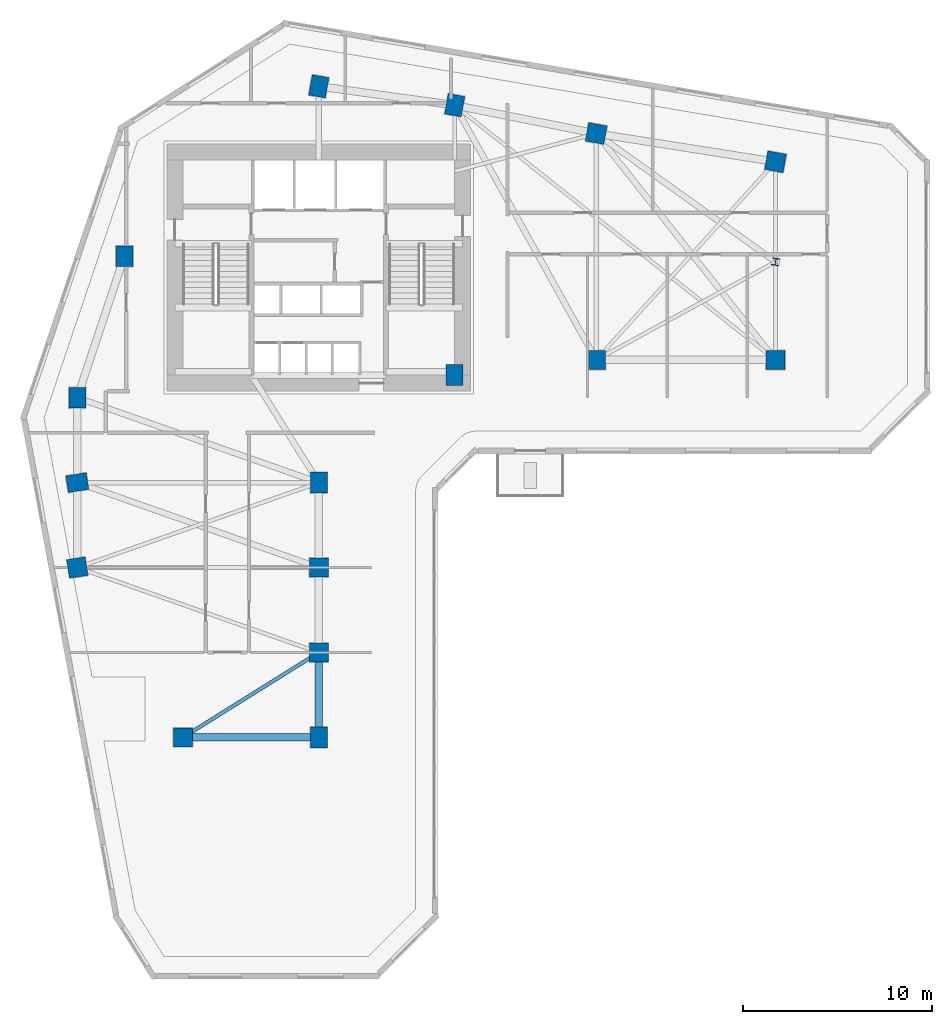
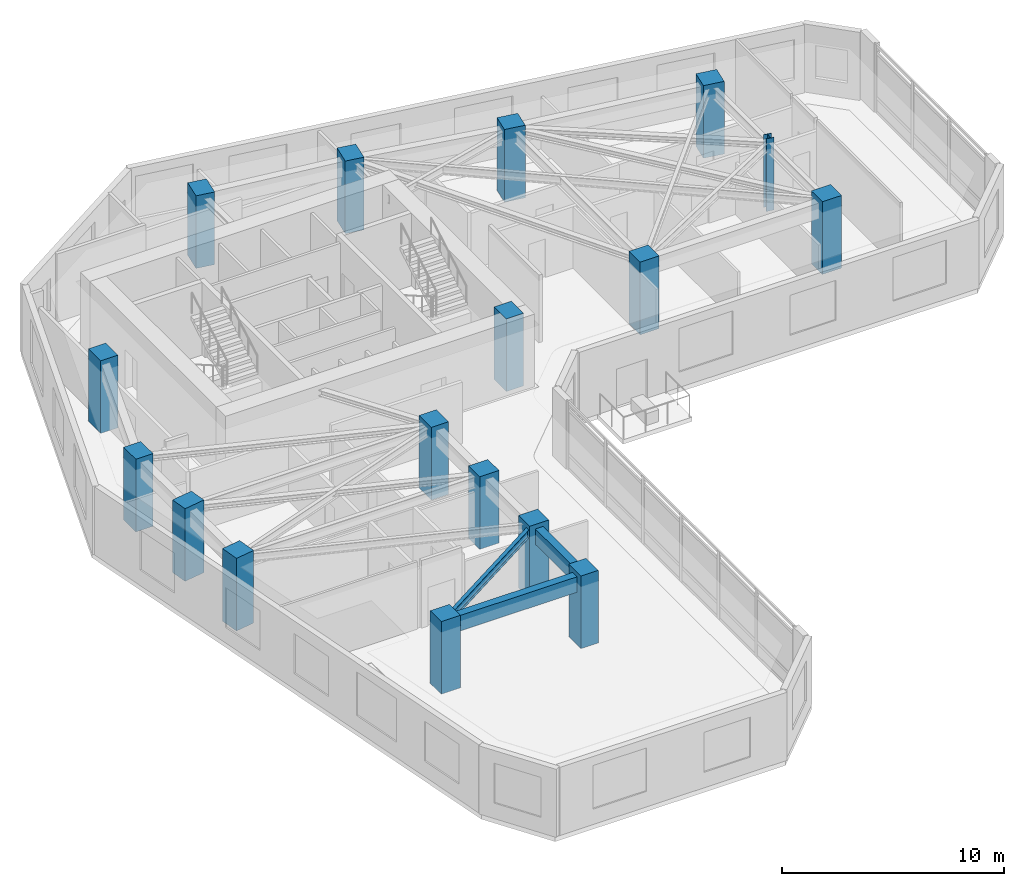
# One storey, part 1 of 9: 17 columns, 3 beams.
"""IFC4 building model written with IfcOpenShell, lengths in metres."""

from ifc_helpers import new_model, si_unit, direction, frame, origin, origin_2d, place, context, subcontext, project, spatial, rectangle, i_section, extrude, source, transform, mapped, material, material_profile, profile_set, type_object, element, save


model = new_model("IFC4")

# Units and contexts
model_context = context("Model", 3, precision=1e-05, world=origin(), true_north=direction((0.0, 1.0)))
body_context = subcontext(model_context, "Body", "Model", "MODEL_VIEW")
ifc_project = project(units=[si_unit("LENGTHUNIT", "METRE"), si_unit("AREAUNIT", "SQUARE_METRE"), si_unit("VOLUMEUNIT", "CUBIC_METRE"), si_unit("PLANEANGLEUNIT", "RADIAN"), si_unit("MASSUNIT", "GRAM", prefix="KILO")], contexts=[model_context])

# Site, building, storey
site_placement = place(None, origin())
site = spatial("IfcSite", under=ifc_project, at=site_placement, CompositionType="ELEMENT")
building_placement = place(site_placement, origin())
building = spatial("IfcBuilding", under=site, at=building_placement, Name="Calvemar Wedge Station Tower", CompositionType="ELEMENT")
storey_placement = place(building_placement, frame((0.0, 0.0, 91.0)))
storey = spatial("IfcBuildingStorey", under=building, at=storey_placement, Name="L22", CompositionType="ELEMENT", Elevation=91.0)

# Columns
ifc_material_1 = material(Name="Concrete C70", Category="concrete")
ifc_material_profile_1 = material_profile(ifc_material_1, rectangle(XDim=0.89990234375, YDim=1.10009765625, at=origin_2d()), Name="RC1100x900")
ifc_profile_set_1 = profile_set([ifc_material_profile_1], Name="Concrete C70")
column_type_1 = type_object("IfcColumnType", Name="COL-C3-1100x900", PredefinedType="COLUMN", material=ifc_profile_set_1)
shared_shape_1 = source(origin(), body_context, "Body", "SweptSolid", [
    extrude(rectangle(XDim=0.89990234375, YDim=1.10009765625, at=origin_2d()), origin(), (0.0, 0.0, 1.0), 4.0),
])
for number, where, z_axis, x_axis, name in (
    (1, (11.0, 33.0, 0.0), (0.0, 0.0, 1.0), (1.0, 0.0, 0.0), "Storey L22 Column T-NW1"),
    (2, (13.5, 40.5, 0.0), (0.0, 0.0, 1.0), (1.0, 0.0, 0.0), "Storey L22 Column T-NW2"),
    (3, (23.800048828125, 49.5, 0.0), (0.0, 0.0, 1.0), (0.984195607969, -0.17708474032, 0.0), "Storey L22 Column T-N1"),
    (4, (31.0, 48.5, 0.0), (0.0, 0.0, 1.0), (0.984195607969, -0.17708474032, 0.0), "Storey L22 Column T-N2"),
    (5, (31.0, 34.199951171875, 0.0), (0.0, 0.0, 1.0), (1.0, 0.0, 0.0), "Storey L22 Column T-NL1"),
    (6, (11.0, 28.5, 0.0), (0.0, 0.0, 1.0), (0.158158067254, -0.987413806751, 0.0), "Storey L22 Column T-SW1"),
    (7, (23.800048828125, 28.5, 0.0), (0.0, 0.0, 1.0), (1.0, 0.0, 0.0), "Storey L22 Column T-SE1"),
    (8, (23.800048828125, 15.0, 0.0), (0.0, 0.0, 1.0), (1.0, 0.0, 0.0), "Storey L22 Column T-SE4"),
):
    element("IfcColumn", number, at=place(storey_placement, frame(where, z_axis=z_axis, x_axis=x_axis)), inside=storey, type_object=column_type_1, Name=name, PredefinedType="COLUMN", context=body_context, shape_type="MappedRepresentation", body=[
        mapped(shared_shape_1, transform((0.0, 0.0, 0.0), scale=1.0)),
    ])
ifc_material_2 = material(Name="Concrete C60", Category="concrete")
ifc_material_profile_2 = material_profile(ifc_material_2, rectangle(XDim=1.0, YDim=1.0, at=origin_2d()), Name="RC1000x1000")
ifc_profile_set_2 = profile_set([ifc_material_profile_2], Name="Concrete C60")
column_type_2 = type_object("IfcColumnType", Name="COL-C4-1000", PredefinedType="COLUMN", material=ifc_profile_set_2)
shared_shape_2 = source(origin(), body_context, "Body", "SweptSolid", [
    extrude(rectangle(XDim=1.0, YDim=1.0, at=origin_2d()), origin(), (0.0, 0.0, 1.0), 4.0),
])
for number, where, z_axis, x_axis, name in (
    (9, (38.5, 47.0, 0.0), (0.0, 0.0, 1.0), (0.984195607969, -0.17708474032, 0.0), "Storey L22 Column T-NU3"),
    (10, (48.0, 45.5, 0.0), (0.0, 0.0, 1.0), (0.984195607969, -0.17708474032, 0.0), "Storey L22 Column T-NU4"),
    (11, (38.5, 35.0, 0.0), (0.0, 0.0, 1.0), (1.0, 0.0, 0.0), "Storey L22 Column T-NL2"),
    (12, (48.0, 35.0, 0.0), (0.0, 0.0, 1.0), (1.0, 0.0, 0.0), "Storey L22 Column T-NL3"),
    (13, (11.0, 24.0, 0.0), (0.0, 0.0, 1.0), (0.158158067254, -0.987413806751, 0.0), "Storey L22 Column T-SW2"),
    (14, (23.800048828125, 24.0, 0.0), (0.0, 0.0, 1.0), (1.0, 0.0, 0.0), "Storey L22 Column T-SE2"),
    (15, (23.800048828125, 19.5, 0.0), (0.0, 0.0, 1.0), (1.0, 0.0, 0.0), "Storey L22 Column T-SE3"),
    (16, (16.60009765625, 15.0, 0.0), (0.0, 0.0, 1.0), (1.0, 0.0, 0.0), "Storey L22 Column T-SM1"),
):
    element("IfcColumn", number, at=place(storey_placement, frame(where, z_axis=z_axis, x_axis=x_axis)), inside=storey, type_object=column_type_2, Name=name, PredefinedType="COLUMN", context=body_context, shape_type="MappedRepresentation", body=[
        mapped(shared_shape_2, transform((0.0, 0.0, 0.0), scale=1.0)),
    ])
ifc_material_3 = material(Name="Structural steel ASTM A572 Grade 50", Category="steel")
ifc_material_profile_3 = material_profile(ifc_material_3, i_section(OverallWidth=0.3740234375, OverallDepth=0.3720703125, WebThickness=0.016357421875, FlangeThickness=0.026123046875, FilletRadius=0.014892578125, at=origin_2d()), Name="W360x196")
ifc_profile_set_3 = profile_set([ifc_material_profile_3], Name="Structural steel ASTM A572 Grade 50")
column_type_3 = type_object("IfcColumnType", Name="COL-STL-W360", PredefinedType="COLUMN", material=ifc_profile_set_3)
shared_shape_3 = source(origin(), body_context, "Body", "SweptSolid", [
    extrude(i_section(OverallWidth=0.3740234375, OverallDepth=0.3720703125, WebThickness=0.016357421875, FlangeThickness=0.026123046875, FilletRadius=0.014892578125, at=origin_2d()), origin(), (0.0, 0.0, 1.0), 4.0),
])
column_placement = place(storey_placement, frame((48.0, 40.199951171875, 0.0), z_axis=(0.0, 0.0, 1.0), x_axis=(0.984195607969, -0.17708474032, 0.0)))
element("IfcColumn", 17, at=column_placement, inside=storey, type_object=column_type_3, Name="Storey L22 Column T-NTIP-A", PredefinedType="COLUMN", context=body_context, shape_type="MappedRepresentation", body=[
    mapped(shared_shape_3, transform((0.0, 0.0, 0.0), scale=1.0)),
])

# Beams
ifc_material_profile_4 = material_profile(ifc_material_2, rectangle(XDim=0.39990234375, YDim=0.85009765625, at=origin_2d()), Name="RC400x850")
ifc_profile_set_4 = profile_set([ifc_material_profile_4], Name="Concrete C60")
beam_type_1 = type_object("IfcBeamType", Name="BM-SP1-850", PredefinedType="SPANDREL", material=ifc_profile_set_4)
shared_shape_4 = source(origin(), body_context, "Body", "SweptSolid", [
    extrude(rectangle(XDim=0.39990234375, YDim=0.85009765625, at=origin_2d()), origin(), (0.0, 0.0, 1.0), 4.5),
])
beam_1_placement = place(storey_placement, frame((23.800048828125, 19.5, 3.324951171875), z_axis=(0.0, -1.0, 0.0), x_axis=(1.0, 0.0, 0.0)))
element("IfcBeam", 18, at=beam_1_placement, inside=storey, type_object=beam_type_1, Name="Storey L22 Spandrel T-SE3-T-SE4", PredefinedType="SPANDREL", context=body_context, shape_type="MappedRepresentation", body=[
    mapped(shared_shape_4, transform((0.0, 0.0, 0.0), scale=1.0)),
])
shared_shape_5 = source(origin(), body_context, "Body", "SweptSolid", [
    extrude(rectangle(XDim=0.39990234375, YDim=0.85009765625, at=origin_2d()), origin(), (0.0, 0.0, 1.0), 7.199951171875),
])
beam_2_placement = place(storey_placement, frame((16.60009765625, 15.0, 3.324951171875), z_axis=(1.0, 0.0, 0.0), x_axis=(0.0, 1.0, 0.0)))
element("IfcBeam", 19, at=beam_2_placement, inside=storey, type_object=beam_type_1, Name="Storey L22 Spandrel T-SM1-T-SE4", PredefinedType="SPANDREL", context=body_context, shape_type="MappedRepresentation", body=[
    mapped(shared_shape_5, transform((0.0, 0.0, 0.0), scale=1.0)),
])
ifc_material_profile_5 = material_profile(ifc_material_3, i_section(OverallWidth=0.19189453125, OverallDepth=0.462890625, WebThickness=0.010498046875, FlangeThickness=0.017578125, FilletRadius=0.012939453125, at=origin_2d()), Name="W460x89")
ifc_profile_set_5 = profile_set([ifc_material_profile_5], Name="Structural steel ASTM A572 Grade 50")
beam_type_2 = type_object("IfcBeamType", Name="BM-J1-W460", PredefinedType="JOIST", material=ifc_profile_set_5)
shared_shape_6 = source(origin(), body_context, "Body", "SweptSolid", [
    extrude(i_section(OverallWidth=0.19189453125, OverallDepth=0.462890625, WebThickness=0.010498046875, FlangeThickness=0.017578125, FilletRadius=0.012939453125, at=origin_2d()), origin(), (0.0, 0.0, 1.0), 8.490478515625),
])
beam_3_placement = place(storey_placement, frame((23.800048828125, 19.5, 3.5185546875), z_axis=(-0.847996688584, -0.530001524668, 0.0), x_axis=(0.530001524668, -0.847996688584, 0.0)))
element("IfcBeam", 20, at=beam_3_placement, inside=storey, type_object=beam_type_2, Name="Storey L22 Floor Beam T-SE3-T-SM1", PredefinedType="JOIST", context=body_context, shape_type="MappedRepresentation", body=[
    mapped(shared_shape_6, transform((0.0, 0.0, 0.0), scale=1.0)),
])

save(model, "model.ifc")
